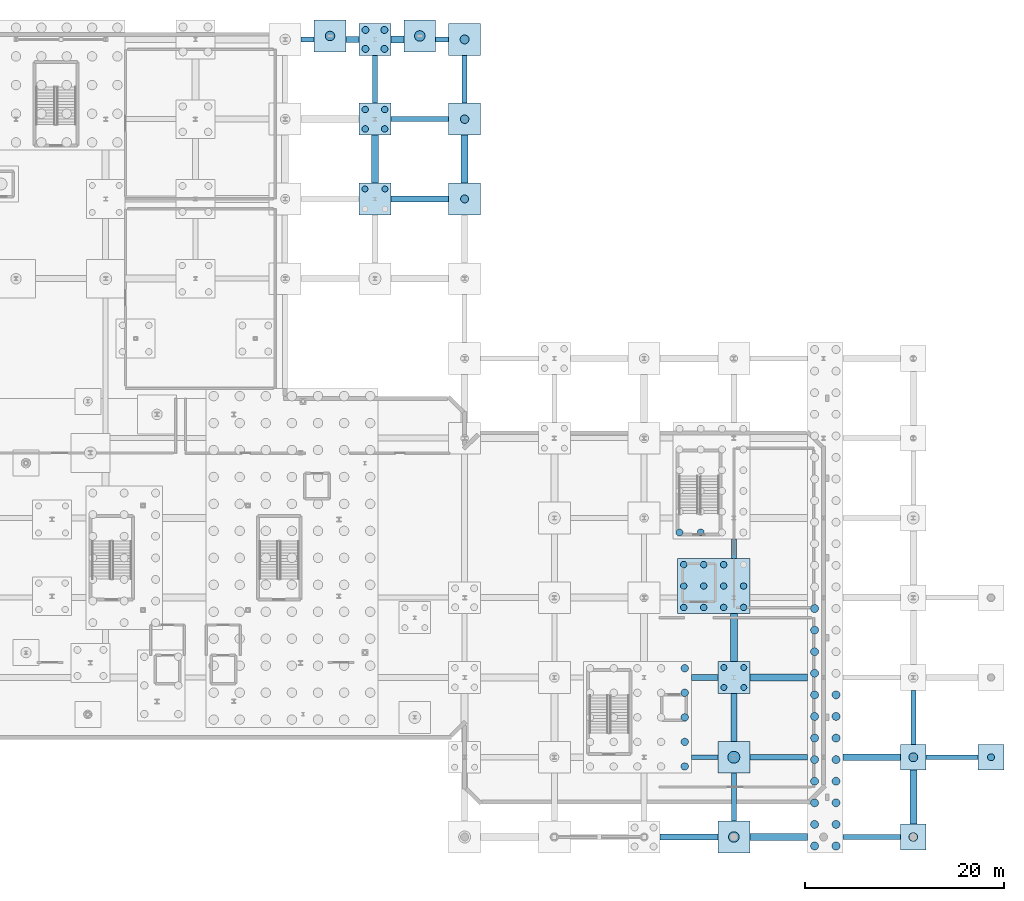
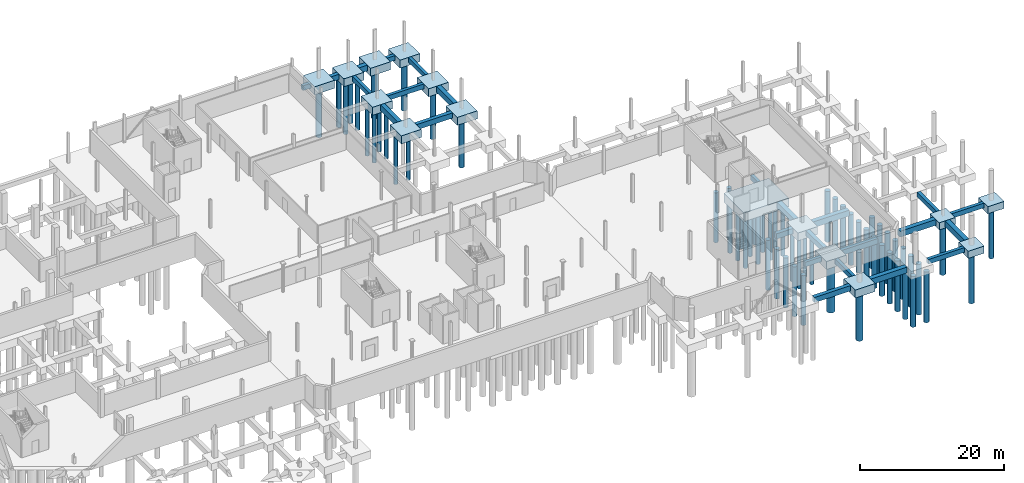
# One storey, part 8 of 37: 62 piles, 40 footings.
"""IFC4 building model written with IfcOpenShell, lengths in metres."""

from ifc_helpers import new_model, si_unit, direction, frame, origin, origin_2d, place, context, subcontext, project, spatial, polyline, rectangle, circle, outline, extrude, material, material_profile, profile_set, type_object, element, save


model = new_model("IFC4")

# Units and contexts
model_context = context("Model", 3, precision=1e-05, world=origin(), true_north=direction((0.0, 1.0)))
body_context = subcontext(model_context, "Body", "Model", "MODEL_VIEW")
ifc_project = project(units=[si_unit("LENGTHUNIT", "METRE"), si_unit("AREAUNIT", "SQUARE_METRE"), si_unit("VOLUMEUNIT", "CUBIC_METRE"), si_unit("PLANEANGLEUNIT", "RADIAN"), si_unit("MASSUNIT", "GRAM", prefix="KILO"), si_unit("THERMODYNAMICTEMPERATUREUNIT", "KELVIN"), si_unit("POWERUNIT", "WATT")], contexts=[model_context])

# Site, building, storey
site_placement = place(None, origin())
site = spatial("IfcSite", under=ifc_project, at=site_placement, CompositionType="ELEMENT")
building_placement = place(site_placement, origin())
building = spatial("IfcBuilding", under=site, at=building_placement, Name="Zelmaris Science Centre", CompositionType="ELEMENT")
storey_placement = place(building_placement, frame((0.0, 0.0, -4.800048828125)))
storey = spatial("IfcBuildingStorey", under=building, at=storey_placement, Name="B1", CompositionType="ELEMENT", Elevation=-4.800048828125)

# Footings
ifc_material = material(Name="Concrete C40/50", Category="concrete")
ifc_material_profile_1 = material_profile(ifc_material, rectangle(XDim=0.5, YDim=0.800048828125, at=origin_2d()), Name="FB-500X800")
ifc_profile_set_1 = profile_set([ifc_material_profile_1], Name="Concrete C40/50")
footing_type_1 = type_object("IfcFootingType", Name="Foundation Tie Beam FB-01 500x800", PredefinedType="FOOTING_BEAM", material=ifc_profile_set_1)
for number, where, z_axis, x_axis, name in (
    (1, (99.0, 81.60009765625, -0.75), (0.0, 1.0, 0.0), (-1.0, 0.0, 0.0), "Foundation tie beam 52"),
    (2, (108.0, 81.60009765625, -0.75), (0.0, 1.0, 0.0), (-1.0, 0.0, 0.0), "Foundation tie beam 61"),
    (3, (135.0, 9.60009765625, -0.75), (0.0, 1.0, 0.0), (-1.0, 0.0, 0.0), "Foundation tie beam 73"),
):
    element("IfcFooting", number, at=place(storey_placement, frame(where, z_axis=z_axis, x_axis=x_axis)), inside=storey, type_object=footing_type_1, Name=name, PredefinedType="FOOTING_BEAM", context=body_context, shape_type="SweptSolid", body=[
        extrude(rectangle(XDim=0.5, YDim=0.800048828125, at=origin_2d()), origin(), (0.0, 0.0, 1.0), 4.7998046875),
    ])
footing_1_placement = place(storey_placement, frame((135.0, 35.949951171875, -0.75), z_axis=(0.0, 1.0, 0.0), x_axis=(-1.0, 0.0, 0.0)))
element("IfcFooting", 4, at=footing_1_placement, inside=storey, type_object=footing_type_1, Name="Foundation tie beam 76", PredefinedType="FOOTING_BEAM", context=body_context, shape_type="SweptSolid", body=[
    extrude(rectangle(XDim=0.5, YDim=0.800048828125, at=origin_2d()), origin(), (0.0, 0.0, 1.0), 1.949951171875),
])
footing_2_placement = place(storey_placement, frame((153.0, 17.300048828125, -0.75), z_axis=(0.0, 1.0, 0.0), x_axis=(-1.0, 0.0, 0.0)))
element("IfcFooting", 5, at=footing_2_placement, inside=storey, type_object=footing_type_1, Name="Foundation tie beam 79", PredefinedType="FOOTING_BEAM", context=body_context, shape_type="SweptSolid", body=[
    extrude(rectangle(XDim=0.5, YDim=0.800048828125, at=origin_2d()), origin(), (0.0, 0.0, 1.0), 5.39990234375),
])
footing_3_placement = place(storey_placement, frame((145.949951171875, 8.0, -0.75), z_axis=(1.0, 0.0, 0.0), x_axis=(0.0, 1.0, 0.0)))
element("IfcFooting", 6, at=footing_3_placement, inside=storey, type_object=footing_type_1, Name="Foundation tie beam 97", PredefinedType="FOOTING_BEAM", context=body_context, shape_type="SweptSolid", body=[
    extrude(rectangle(XDim=0.5, YDim=0.800048828125, at=origin_2d()), origin(), (0.0, 0.0, 1.0), 5.75),
])
footing_4_placement = place(storey_placement, frame((130.75, 16.0, -0.75), z_axis=(1.0, 0.0, 0.0), x_axis=(0.0, 1.0, 0.0)))
element("IfcFooting", 7, at=footing_4_placement, inside=storey, type_object=footing_type_1, Name="Foundation tie beam 106", PredefinedType="FOOTING_BEAM", context=body_context, shape_type="SweptSolid", body=[
    extrude(rectangle(XDim=0.5, YDim=0.800048828125, at=origin_2d()), origin(), (0.0, 0.0, 1.0), 2.64990234375),
])
footing_5_placement = place(storey_placement, frame((154.300048828125, 16.0, -0.75), z_axis=(1.0, 0.0, 0.0), x_axis=(0.0, 1.0, 0.0)))
element("IfcFooting", 8, at=footing_5_placement, inside=storey, type_object=footing_type_1, Name="Foundation tie beam 109", PredefinedType="FOOTING_BEAM", context=body_context, shape_type="SweptSolid", body=[
    extrude(rectangle(XDim=0.5, YDim=0.800048828125, at=origin_2d()), origin(), (0.0, 0.0, 1.0), 5.199951171875),
])
footing_6_placement = place(storey_placement, frame((100.60009765625, 80.0, -0.75), z_axis=(1.0, 0.0, 0.0), x_axis=(0.0, 1.0, 0.0)))
element("IfcFooting", 9, at=footing_6_placement, inside=storey, type_object=footing_type_1, Name="Foundation tie beam 193", PredefinedType="FOOTING_BEAM", context=body_context, shape_type="SweptSolid", body=[
    extrude(rectangle(XDim=0.5, YDim=0.800048828125, at=origin_2d()), origin(), (0.0, 0.0, 1.0), 5.7998046875),
])
for number, where, z_axis, x_axis, name in (
    (10, (91.60009765625, 88.0, -0.75), (1.0, 0.0, 0.0), (0.0, 1.0, 0.0), "Foundation tie beam 199"),
    (11, (105.10009765625, 88.0, -0.75), (1.0, 0.0, 0.0), (0.0, 1.0, 0.0), "Foundation tie beam 202"),
):
    element("IfcFooting", number, at=place(storey_placement, frame(where, z_axis=z_axis, x_axis=x_axis)), inside=storey, type_object=footing_type_1, Name=name, PredefinedType="FOOTING_BEAM", context=body_context, shape_type="SweptSolid", body=[
        extrude(rectangle(XDim=0.5, YDim=0.800048828125, at=origin_2d()), origin(), (0.0, 0.0, 1.0), 1.2998046875),
    ])
ifc_material_profile_2 = material_profile(ifc_material, rectangle(XDim=0.60009765625, YDim=0.89990234375, at=origin_2d()), Name="FB-600X900")
ifc_profile_set_2 = profile_set([ifc_material_profile_2], Name="Concrete C40/50")
footing_type_2 = type_object("IfcFootingType", Name="Foundation Tie Beam FB-02 600x900", PredefinedType="FOOTING_BEAM", material=ifc_profile_set_2)
footing_7_placement = place(storey_placement, frame((135.0, 17.60009765625, -0.800048828125), z_axis=(0.0, 1.0, 0.0), x_axis=(-1.0, 0.0, 0.0)))
element("IfcFooting", 12, at=footing_7_placement, inside=storey, type_object=footing_type_2, Name="Foundation tie beam 74", PredefinedType="FOOTING_BEAM", context=body_context, shape_type="SweptSolid", body=[
    extrude(rectangle(XDim=0.60009765625, YDim=0.89990234375, at=origin_2d()), origin(), (0.0, 0.0, 1.0), 4.7998046875),
])
for number, where, z_axis, x_axis, name in (
    (13, (127.60009765625, 8.0, -0.800048828125), (1.0, 0.0, 0.0), (0.0, 1.0, 0.0), "Foundation tie beam 95"),
    (14, (136.60009765625, 16.0, -0.800048828125), (1.0, 0.0, 0.0), (0.0, 1.0, 0.0), "Foundation tie beam 107"),
):
    element("IfcFooting", number, at=place(storey_placement, frame(where, z_axis=z_axis, x_axis=x_axis)), inside=storey, type_object=footing_type_2, Name=name, PredefinedType="FOOTING_BEAM", context=body_context, shape_type="SweptSolid", body=[
        extrude(rectangle(XDim=0.60009765625, YDim=0.89990234375, at=origin_2d()), origin(), (0.0, 0.0, 1.0), 5.7998046875),
    ])
footing_8_placement = place(storey_placement, frame((130.75, 24.0, -0.800048828125), z_axis=(1.0, 0.0, 0.0), x_axis=(0.0, 1.0, 0.0)))
element("IfcFooting", 15, at=footing_8_placement, inside=storey, type_object=footing_type_2, Name="Foundation tie beam 122", PredefinedType="FOOTING_BEAM", context=body_context, shape_type="SweptSolid", body=[
    extrude(rectangle(XDim=0.60009765625, YDim=0.89990234375, at=origin_2d()), origin(), (0.0, 0.0, 1.0), 2.64990234375),
])
footing_9_placement = place(storey_placement, frame((100.60009765625, 72.0, -0.800048828125), z_axis=(1.0, 0.0, 0.0), x_axis=(0.0, 1.0, 0.0)))
element("IfcFooting", 16, at=footing_9_placement, inside=storey, type_object=footing_type_2, Name="Foundation tie beam 185", PredefinedType="FOOTING_BEAM", context=body_context, shape_type="SweptSolid", body=[
    extrude(rectangle(XDim=0.60009765625, YDim=0.89990234375, at=origin_2d()), origin(), (0.0, 0.0, 1.0), 5.7998046875),
])
footing_10_placement = place(storey_placement, frame((96.10009765625, 88.0, -0.800048828125), z_axis=(1.0, 0.0, 0.0), x_axis=(0.0, 1.0, 0.0)))
element("IfcFooting", 17, at=footing_10_placement, inside=storey, type_object=footing_type_2, Name="Foundation tie beam 200", PredefinedType="FOOTING_BEAM", context=body_context, shape_type="SweptSolid", body=[
    extrude(rectangle(XDim=0.60009765625, YDim=0.89990234375, at=origin_2d()), origin(), (0.0, 0.0, 1.0), 1.2998046875),
])
ifc_material_profile_3 = material_profile(ifc_material, rectangle(XDim=0.699951171875, YDim=1.0, at=origin_2d()), Name="FB-700X1000")
ifc_profile_set_3 = profile_set([ifc_material_profile_3], Name="Concrete C40/50")
footing_type_3 = type_object("IfcFootingType", Name="Foundation Tie Beam FB-03 700x1000", PredefinedType="FOOTING_BEAM", material=ifc_profile_set_3)
for number, where, z_axis, x_axis, name in (
    (18, (99.0, 73.60009765625, -0.849853515625), (0.0, 1.0, 0.0), (-1.0, 0.0, 0.0), "Foundation tie beam 51"),
    (19, (108.0, 73.60009765625, -0.849853515625), (0.0, 1.0, 0.0), (-1.0, 0.0, 0.0), "Foundation tie beam 60"),
    (20, (135.0, 25.60009765625, -0.849853515625), (0.0, 1.0, 0.0), (-1.0, 0.0, 0.0), "Foundation tie beam 75"),
):
    element("IfcFooting", number, at=place(storey_placement, frame(where, z_axis=z_axis, x_axis=x_axis)), inside=storey, type_object=footing_type_3, Name=name, PredefinedType="FOOTING_BEAM", context=body_context, shape_type="SweptSolid", body=[
        extrude(rectangle(XDim=0.699951171875, YDim=1.0, at=origin_2d()), origin(), (0.0, 0.0, 1.0), 4.7998046875),
    ])
footing_11_placement = place(storey_placement, frame((153.0, 9.300048828125, -0.849853515625), z_axis=(0.0, 1.0, 0.0), x_axis=(-1.0, 0.0, 0.0)))
element("IfcFooting", 21, at=footing_11_placement, inside=storey, type_object=footing_type_3, Name="Foundation tie beam 78", PredefinedType="FOOTING_BEAM", context=body_context, shape_type="SweptSolid", body=[
    extrude(rectangle(XDim=0.699951171875, YDim=1.0, at=origin_2d()), origin(), (0.0, 0.0, 1.0), 5.39990234375),
])
footing_12_placement = place(storey_placement, frame((136.60009765625, 8.0, -0.849853515625), z_axis=(1.0, 0.0, 0.0), x_axis=(0.0, 1.0, 0.0)))
element("IfcFooting", 22, at=footing_12_placement, inside=storey, type_object=footing_type_3, Name="Foundation tie beam 96", PredefinedType="FOOTING_BEAM", context=body_context, shape_type="SweptSolid", body=[
    extrude(rectangle(XDim=0.699951171875, YDim=1.0, at=origin_2d()), origin(), (0.0, 0.0, 1.0), 5.7998046875),
])
footing_13_placement = place(storey_placement, frame((145.949951171875, 16.0, -0.849853515625), z_axis=(1.0, 0.0, 0.0), x_axis=(0.0, 1.0, 0.0)))
element("IfcFooting", 23, at=footing_13_placement, inside=storey, type_object=footing_type_3, Name="Foundation tie beam 108", PredefinedType="FOOTING_BEAM", context=body_context, shape_type="SweptSolid", body=[
    extrude(rectangle(XDim=0.699951171875, YDim=1.0, at=origin_2d()), origin(), (0.0, 0.0, 1.0), 5.75),
])
footing_14_placement = place(storey_placement, frame((136.60009765625, 24.0, -0.849853515625), z_axis=(1.0, 0.0, 0.0), x_axis=(0.0, 1.0, 0.0)))
element("IfcFooting", 24, at=footing_14_placement, inside=storey, type_object=footing_type_3, Name="Foundation tie beam 123", PredefinedType="FOOTING_BEAM", context=body_context, shape_type="SweptSolid", body=[
    extrude(rectangle(XDim=0.699951171875, YDim=1.0, at=origin_2d()), origin(), (0.0, 0.0, 1.0), 5.7998046875),
])
footing_15_placement = place(storey_placement, frame((100.60009765625, 88.0, -0.849853515625), z_axis=(1.0, 0.0, 0.0), x_axis=(0.0, 1.0, 0.0)))
element("IfcFooting", 25, at=footing_15_placement, inside=storey, type_object=footing_type_3, Name="Foundation tie beam 201", PredefinedType="FOOTING_BEAM", context=body_context, shape_type="SweptSolid", body=[
    extrude(rectangle(XDim=0.699951171875, YDim=1.0, at=origin_2d()), origin(), (0.0, 0.0, 1.0), 1.2998046875),
])
footing_type_4 = type_object("IfcFootingType", Name="Pile Cap PCM-2626 2600x2600x1200", PredefinedType="PILE_CAP", material=ifc_material)
footing_16_placement = place(storey_placement, frame((0.0, 0.0, -1.550048828125)))
element("IfcFooting", 26, at=footing_16_placement, inside=storey, type_object=footing_type_4, Name="Pile cap 86", PredefinedType="PILE_CAP", context=body_context, shape_type="SweptSolid", body=[
    extrude(outline(polyline([(151.699951171875, 6.699951171875), (154.300048828125, 6.699951171875), (154.300048828125, 9.300048828125), (151.699951171875, 9.300048828125), (151.699951171875, 6.699951171875)])), origin(), (0.0, 0.0, 1.0), 1.2001953125),
])
footing_17_placement = place(storey_placement, frame((0.0, 0.0, -1.550048828125)))
element("IfcFooting", 27, at=footing_17_placement, inside=storey, type_object=footing_type_4, Name="Pile cap 87", PredefinedType="PILE_CAP", context=body_context, shape_type="SweptSolid", body=[
    extrude(outline(polyline([(151.699951171875, 14.699951171875), (154.300048828125, 14.699951171875), (154.300048828125, 17.300048828125), (151.699951171875, 17.300048828125), (151.699951171875, 14.699951171875)])), origin(), (0.0, 0.0, 1.0), 1.2001953125),
])
footing_18_placement = place(storey_placement, frame((0.0, 0.0, -1.550048828125)))
element("IfcFooting", 28, at=footing_18_placement, inside=storey, type_object=footing_type_4, Name="Pile cap 93", PredefinedType="PILE_CAP", context=body_context, shape_type="SweptSolid", body=[
    extrude(outline(polyline([(159.5, 14.699951171875), (162.10009765625, 14.699951171875), (162.10009765625, 17.300048828125), (159.5, 17.300048828125), (159.5, 14.699951171875)])), origin(), (0.0, 0.0, 1.0), 1.2001953125),
])
footing_type_5 = type_object("IfcFootingType", Name="Pile Cap PCM-3232 3200x3200x1350", PredefinedType="PILE_CAP", material=ifc_material)
footing_19_placement = place(storey_placement, frame((0.0, 0.0, -1.699951171875)))
element("IfcFooting", 29, at=footing_19_placement, inside=storey, type_object=footing_type_5, Name="Pile cap 79", PredefinedType="PILE_CAP", context=body_context, shape_type="SweptSolid", body=[
    extrude(outline(polyline([(133.39990234375, 6.39990234375), (136.60009765625, 6.39990234375), (136.60009765625, 9.60009765625), (133.39990234375, 9.60009765625), (133.39990234375, 6.39990234375)])), origin(), (0.0, 0.0, 1.0), 1.35009765625),
])
footing_20_placement = place(storey_placement, frame((0.0, 0.0, -1.699951171875)))
element("IfcFooting", 30, at=footing_20_placement, inside=storey, type_object=footing_type_5, Name="Pile cap 80", PredefinedType="PILE_CAP", context=body_context, shape_type="SweptSolid", body=[
    extrude(outline(polyline([(133.39990234375, 14.39990234375), (136.60009765625, 14.39990234375), (136.60009765625, 17.60009765625), (133.39990234375, 17.60009765625), (133.39990234375, 14.39990234375)])), origin(), (0.0, 0.0, 1.0), 1.35009765625),
])
footing_21_placement = place(storey_placement, frame((0.0, 0.0, -1.699951171875)))
element("IfcFooting", 31, at=footing_21_placement, inside=storey, type_object=footing_type_5, Name="Pile cap 81", PredefinedType="PILE_CAP", context=body_context, shape_type="SweptSolid", body=[
    extrude(outline(polyline([(133.39990234375, 22.39990234375), (136.60009765625, 22.39990234375), (136.60009765625, 25.60009765625), (133.39990234375, 25.60009765625), (133.39990234375, 22.39990234375)])), origin(), (0.0, 0.0, 1.0), 1.35009765625),
])
footing_22_placement = place(storey_placement, frame((0.0, 0.0, -1.699951171875)))
element("IfcFooting", 32, at=footing_22_placement, inside=storey, type_object=footing_type_5, Name="Pile cap 111", PredefinedType="PILE_CAP", context=body_context, shape_type="SweptSolid", body=[
    extrude(outline(polyline([(97.39990234375, 70.39990234375), (100.60009765625, 70.39990234375), (100.60009765625, 73.60009765625), (97.39990234375, 73.60009765625), (97.39990234375, 70.39990234375)])), origin(), (0.0, 0.0, 1.0), 1.35009765625),
])
footing_23_placement = place(storey_placement, frame((0.0, 0.0, -1.699951171875)))
element("IfcFooting", 33, at=footing_23_placement, inside=storey, type_object=footing_type_5, Name="Pile cap 112", PredefinedType="PILE_CAP", context=body_context, shape_type="SweptSolid", body=[
    extrude(outline(polyline([(97.39990234375, 78.39990234375), (100.60009765625, 78.39990234375), (100.60009765625, 81.60009765625), (97.39990234375, 81.60009765625), (97.39990234375, 78.39990234375)])), origin(), (0.0, 0.0, 1.0), 1.35009765625),
])
footing_24_placement = place(storey_placement, frame((0.0, 0.0, -1.699951171875)))
element("IfcFooting", 34, at=footing_24_placement, inside=storey, type_object=footing_type_5, Name="Pile cap 113", PredefinedType="PILE_CAP", context=body_context, shape_type="SweptSolid", body=[
    extrude(outline(polyline([(97.39990234375, 86.39990234375), (100.60009765625, 86.39990234375), (100.60009765625, 89.60009765625), (97.39990234375, 89.60009765625), (97.39990234375, 86.39990234375)])), origin(), (0.0, 0.0, 1.0), 1.35009765625),
])
footing_25_placement = place(storey_placement, frame((0.0, 0.0, -1.699951171875)))
element("IfcFooting", 35, at=footing_25_placement, inside=storey, type_object=footing_type_5, Name="Pile cap 115", PredefinedType="PILE_CAP", context=body_context, shape_type="SweptSolid", body=[
    extrude(outline(polyline([(106.39990234375, 70.39990234375), (109.60009765625, 70.39990234375), (109.60009765625, 73.60009765625), (106.39990234375, 73.60009765625), (106.39990234375, 70.39990234375)])), origin(), (0.0, 0.0, 1.0), 1.35009765625),
])
footing_26_placement = place(storey_placement, frame((0.0, 0.0, -1.699951171875)))
element("IfcFooting", 36, at=footing_26_placement, inside=storey, type_object=footing_type_5, Name="Pile cap 116", PredefinedType="PILE_CAP", context=body_context, shape_type="SweptSolid", body=[
    extrude(outline(polyline([(106.39990234375, 78.39990234375), (109.60009765625, 78.39990234375), (109.60009765625, 81.60009765625), (106.39990234375, 81.60009765625), (106.39990234375, 78.39990234375)])), origin(), (0.0, 0.0, 1.0), 1.35009765625),
])
footing_27_placement = place(storey_placement, frame((0.0, 0.0, -1.699951171875)))
element("IfcFooting", 37, at=footing_27_placement, inside=storey, type_object=footing_type_5, Name="Pile cap 117", PredefinedType="PILE_CAP", context=body_context, shape_type="SweptSolid", body=[
    extrude(outline(polyline([(106.39990234375, 86.39990234375), (109.60009765625, 86.39990234375), (109.60009765625, 89.60009765625), (106.39990234375, 89.60009765625), (106.39990234375, 86.39990234375)])), origin(), (0.0, 0.0, 1.0), 1.35009765625),
])
footing_28_placement = place(storey_placement, frame((0.0, 0.0, -1.699951171875)))
element("IfcFooting", 38, at=footing_28_placement, inside=storey, type_object=footing_type_5, Name="Pile cap 128", PredefinedType="PILE_CAP", context=body_context, shape_type="SweptSolid", body=[
    extrude(outline(polyline([(92.89990234375, 86.75), (96.10009765625, 86.75), (96.10009765625, 89.949951171875), (92.89990234375, 89.949951171875), (92.89990234375, 86.75)])), origin(), (0.0, 0.0, 1.0), 1.35009765625),
])
footing_29_placement = place(storey_placement, frame((0.0, 0.0, -1.699951171875)))
element("IfcFooting", 39, at=footing_29_placement, inside=storey, type_object=footing_type_5, Name="Pile cap 129", PredefinedType="PILE_CAP", context=body_context, shape_type="SweptSolid", body=[
    extrude(outline(polyline([(101.89990234375, 86.75), (105.10009765625, 86.75), (105.10009765625, 89.949951171875), (101.89990234375, 89.949951171875), (101.89990234375, 86.75)])), origin(), (0.0, 0.0, 1.0), 1.35009765625),
])
footing_type_6 = type_object("IfcFootingType", Name="Pile Cap PCM-7256 7200x5600x1500", PredefinedType="PILE_CAP", material=ifc_material)
footing_30_placement = place(storey_placement, frame((0.0, 0.0, -1.849853515625)))
element("IfcFooting", 40, at=footing_30_placement, inside=storey, type_object=footing_type_6, Name="Pile cap 82", PredefinedType="PILE_CAP", context=body_context, shape_type="SweptSolid", body=[
    extrude(outline(polyline([(129.35009765625, 30.39990234375), (136.60009765625, 30.39990234375), (136.60009765625, 35.949951171875), (129.35009765625, 35.949951171875), (129.35009765625, 30.39990234375)])), origin(), (0.0, 0.0, 1.0), 1.5),
])

# Piles
ifc_material_profile_4 = material_profile(ifc_material, circle(Radius=0.52490234375, at=origin_2d()), Name="PILE-1050")
ifc_profile_set_4 = profile_set([ifc_material_profile_4], Name="Concrete C40/50")
pile_type_1 = type_object("IfcPileType", Name="Pile PL-1050 D1050", PredefinedType="BORED", material=ifc_profile_set_4)
for number, where, z_axis, x_axis, name in (
    (41, (135.0, 8.0, -1.579833984375), (0.0, 0.0, -1.0), (1.0, 0.0, 0.0), "Bored pile 79-1"),
    (42, (103.5, 88.35009765625, -1.579833984375), (0.0, 0.0, -1.0), (1.0, 0.0, 0.0), "Bored pile 129-1"),
):
    element("IfcPile", number, at=place(storey_placement, frame(where, z_axis=z_axis, x_axis=x_axis)), inside=storey, type_object=pile_type_1, Name=name, PredefinedType="BORED", context=body_context, shape_type="SweptSolid", body=[
        extrude(circle(Radius=0.52490234375, at=origin_2d()), origin(), (0.0, 0.0, 1.0), 8.6201171875),
    ])
ifc_material_profile_5 = material_profile(ifc_material, circle(Radius=0.60009765625, at=origin_2d()), Name="PILE-1200")
ifc_profile_set_5 = profile_set([ifc_material_profile_5], Name="Concrete C40/50")
pile_type_2 = type_object("IfcPileType", Name="Pile PL-1200 D1200", PredefinedType="BORED", material=ifc_profile_set_5)
pile_1_placement = place(storey_placement, frame((135.0, 16.0, -1.579833984375), z_axis=(0.0, 0.0, -1.0), x_axis=(1.0, 0.0, 0.0)))
element("IfcPile", 43, at=pile_1_placement, inside=storey, type_object=pile_type_2, Name="Bored pile 80-1", PredefinedType="BORED", context=body_context, shape_type="SweptSolid", body=[
    extrude(circle(Radius=0.60009765625, at=origin_2d()), origin(), (0.0, 0.0, 1.0), 8.6201171875),
])
ifc_material_profile_6 = material_profile(ifc_material, circle(Radius=0.300048828125, at=origin_2d()), Name="PILE-600")
ifc_profile_set_6 = profile_set([ifc_material_profile_6], Name="Concrete C40/50")
pile_type_3 = type_object("IfcPileType", Name="Pile PL-600 D600", PredefinedType="BORED", material=ifc_profile_set_6)
for number, where, z_axis, x_axis, name in (
    (44, (134.0, 23.0, -1.579833984375), (0.0, 0.0, -1.0), (1.0, 0.0, 0.0), "Bored pile 81-1"),
    (45, (134.0, 25.0, -1.579833984375), (0.0, 0.0, -1.0), (1.0, 0.0, 0.0), "Bored pile 81-2"),
    (46, (136.0, 23.0, -1.579833984375), (0.0, 0.0, -1.0), (1.0, 0.0, 0.0), "Bored pile 81-3"),
    (47, (136.0, 25.0, -1.579833984375), (0.0, 0.0, -1.0), (1.0, 0.0, 0.0), "Bored pile 81-4"),
    (48, (98.0, 73.0, -1.579833984375), (0.0, 0.0, -1.0), (1.0, 0.0, 0.0), "Bored pile 111-2"),
    (49, (100.0, 73.0, -1.579833984375), (0.0, 0.0, -1.0), (1.0, 0.0, 0.0), "Bored pile 111-4"),
):
    element("IfcPile", number, at=place(storey_placement, frame(where, z_axis=z_axis, x_axis=x_axis)), inside=storey, type_object=pile_type_3, Name=name, PredefinedType="BORED", context=body_context, shape_type="SweptSolid", body=[
        extrude(circle(Radius=0.300048828125, at=origin_2d()), origin(), (0.0, 0.0, 1.0), 8.6201171875),
    ])
ifc_material_profile_7 = material_profile(ifc_material, circle(Radius=0.324951171875, at=origin_2d()), Name="PILE-650")
ifc_profile_set_7 = profile_set([ifc_material_profile_7], Name="Concrete C40/50")
pile_type_4 = type_object("IfcPileType", Name="Pile PL-650 D650", PredefinedType="BORED", material=ifc_profile_set_7)
for number, where, z_axis, x_axis, name in (
    (50, (129.97509765625, 31.02490234375, -1.72998046875), (0.0, 0.0, -1.0), (1.0, 0.0, 0.0), "Bored pile 82-1"),
    (51, (129.97509765625, 33.175048828125, -1.72998046875), (0.0, 0.0, -1.0), (1.0, 0.0, 0.0), "Bored pile 82-2"),
    (52, (129.97509765625, 35.324951171875, -1.72998046875), (0.0, 0.0, -1.0), (1.0, 0.0, 0.0), "Bored pile 82-3"),
    (53, (131.97509765625, 31.02490234375, -1.72998046875), (0.0, 0.0, -1.0), (1.0, 0.0, 0.0), "Bored pile 82-4"),
    (54, (131.97509765625, 33.175048828125, -1.72998046875), (0.0, 0.0, -1.0), (1.0, 0.0, 0.0), "Bored pile 82-5"),
    (55, (131.97509765625, 35.324951171875, -1.72998046875), (0.0, 0.0, -1.0), (1.0, 0.0, 0.0), "Bored pile 82-6"),
    (56, (133.97509765625, 31.02490234375, -1.72998046875), (0.0, 0.0, -1.0), (1.0, 0.0, 0.0), "Bored pile 82-7"),
    (57, (133.97509765625, 33.175048828125, -1.72998046875), (0.0, 0.0, -1.0), (1.0, 0.0, 0.0), "Bored pile 82-8"),
    (58, (133.97509765625, 35.324951171875, -1.72998046875), (0.0, 0.0, -1.0), (1.0, 0.0, 0.0), "Bored pile 82-9"),
    (59, (135.97509765625, 31.02490234375, -1.72998046875), (0.0, 0.0, -1.0), (1.0, 0.0, 0.0), "Bored pile 82-10"),
    (60, (135.97509765625, 33.175048828125, -1.72998046875), (0.0, 0.0, -1.0), (1.0, 0.0, 0.0), "Bored pile 82-11"),
):
    element("IfcPile", number, at=place(storey_placement, frame(where, z_axis=z_axis, x_axis=x_axis)), inside=storey, type_object=pile_type_4, Name=name, PredefinedType="BORED", context=body_context, shape_type="SweptSolid", body=[
        extrude(circle(Radius=0.324951171875, at=origin_2d()), origin(), (0.0, 0.0, 1.0), 8.469970703125),
    ])
for number, where, z_axis, x_axis, name in (
    (61, (98.02490234375, 79.02490234375, -1.579833984375), (0.0, 0.0, -1.0), (1.0, 0.0, 0.0), "Bored pile 112-1"),
    (62, (98.02490234375, 80.97509765625, -1.579833984375), (0.0, 0.0, -1.0), (1.0, 0.0, 0.0), "Bored pile 112-2"),
    (63, (99.97509765625, 79.02490234375, -1.579833984375), (0.0, 0.0, -1.0), (1.0, 0.0, 0.0), "Bored pile 112-3"),
    (64, (99.97509765625, 80.97509765625, -1.579833984375), (0.0, 0.0, -1.0), (1.0, 0.0, 0.0), "Bored pile 112-4"),
):
    element("IfcPile", number, at=place(storey_placement, frame(where, z_axis=z_axis, x_axis=x_axis)), inside=storey, type_object=pile_type_4, Name=name, PredefinedType="BORED", context=body_context, shape_type="SweptSolid", body=[
        extrude(circle(Radius=0.324951171875, at=origin_2d()), origin(), (0.0, 0.0, 1.0), 8.6201171875),
    ])
ifc_material_profile_8 = material_profile(ifc_material, circle(Radius=0.35009765625, at=origin_2d()), Name="PILE-700")
ifc_profile_set_8 = profile_set([ifc_material_profile_8], Name="Concrete C40/50")
pile_type_5 = type_object("IfcPileType", Name="Pile PL-700 D700", PredefinedType="BORED", material=ifc_profile_set_8)
for number, where, z_axis, x_axis, name in (
    (65, (129.550048828125, 38.550048828125, -1.72998046875), (0.0, 0.0, -1.0), (1.0, 0.0, 0.0), "Bored pile 83-1"),
    (66, (131.683349609375, 38.550048828125, -1.72998046875), (0.0, 0.0, -1.0), (1.0, 0.0, 0.0), "Bored pile 83-7"),
):
    element("IfcPile", number, at=place(storey_placement, frame(where, z_axis=z_axis, x_axis=x_axis)), inside=storey, type_object=pile_type_5, Name=name, PredefinedType="BORED", context=body_context, shape_type="SweptSolid", body=[
        extrude(circle(Radius=0.35009765625, at=origin_2d()), origin(), (0.0, 0.0, 1.0), 8.469970703125),
    ])
pile_2_placement = place(storey_placement, frame((160.800048828125, 16.0, -1.429931640625), z_axis=(0.0, 0.0, -1.0), x_axis=(1.0, 0.0, 0.0)))
element("IfcPile", 67, at=pile_2_placement, inside=storey, type_object=pile_type_5, Name="Bored pile 93-1", PredefinedType="BORED", context=body_context, shape_type="SweptSolid", body=[
    extrude(circle(Radius=0.35009765625, at=origin_2d()), origin(), (0.0, 0.0, 1.0), 8.77001953125),
])
for number, where, z_axis, x_axis, name in (
    (68, (98.050048828125, 87.050048828125, -1.579833984375), (0.0, 0.0, -1.0), (1.0, 0.0, 0.0), "Bored pile 113-1"),
    (69, (98.050048828125, 88.949951171875, -1.579833984375), (0.0, 0.0, -1.0), (1.0, 0.0, 0.0), "Bored pile 113-2"),
    (70, (99.949951171875, 87.050048828125, -1.579833984375), (0.0, 0.0, -1.0), (1.0, 0.0, 0.0), "Bored pile 113-3"),
    (71, (99.949951171875, 88.949951171875, -1.579833984375), (0.0, 0.0, -1.0), (1.0, 0.0, 0.0), "Bored pile 113-4"),
):
    element("IfcPile", number, at=place(storey_placement, frame(where, z_axis=z_axis, x_axis=x_axis)), inside=storey, type_object=pile_type_5, Name=name, PredefinedType="BORED", context=body_context, shape_type="SweptSolid", body=[
        extrude(circle(Radius=0.35009765625, at=origin_2d()), origin(), (0.0, 0.0, 1.0), 8.6201171875),
    ])
ifc_material_profile_9 = material_profile(ifc_material, circle(Radius=0.375, at=origin_2d()), Name="PILE-750")
ifc_profile_set_9 = profile_set([ifc_material_profile_9], Name="Concrete C40/50")
pile_type_6 = type_object("IfcPileType", Name="Pile PL-750 D750", PredefinedType="BORED", material=ifc_profile_set_9)
for number, where, z_axis, x_axis, name in (
    (72, (130.074951171875, 15.074951171875, -1.72998046875), (0.0, 0.0, -1.0), (1.0, 0.0, 0.0), "Bored pile 74-21"),
    (73, (130.074951171875, 17.53759765625, -1.72998046875), (0.0, 0.0, -1.0), (1.0, 0.0, 0.0), "Bored pile 74-22"),
    (74, (130.074951171875, 20.0, -1.72998046875), (0.0, 0.0, -1.0), (1.0, 0.0, 0.0), "Bored pile 74-23"),
    (75, (130.074951171875, 22.46240234375, -1.72998046875), (0.0, 0.0, -1.0), (1.0, 0.0, 0.0), "Bored pile 74-24"),
    (76, (130.074951171875, 24.925048828125, -1.72998046875), (0.0, 0.0, -1.0), (1.0, 0.0, 0.0), "Bored pile 74-25"),
):
    element("IfcPile", number, at=place(storey_placement, frame(where, z_axis=z_axis, x_axis=x_axis)), inside=storey, type_object=pile_type_6, Name=name, PredefinedType="BORED", context=body_context, shape_type="SweptSolid", body=[
        extrude(circle(Radius=0.375, at=origin_2d()), origin(), (0.0, 0.0, 1.0), 8.469970703125),
    ])
ifc_material_profile_10 = material_profile(ifc_material, circle(Radius=0.39990234375, at=origin_2d()), Name="PILE-800")
ifc_profile_set_10 = profile_set([ifc_material_profile_10], Name="Concrete C40/50")
pile_type_7 = type_object("IfcPileType", Name="Pile PL-800 D800", PredefinedType="BORED", material=ifc_profile_set_10)
for number, where, z_axis, x_axis, name in (
    (77, (143.10009765625, 7.10009765625, -1.579833984375), (0.0, 0.0, -1.0), (1.0, 0.0, 0.0), "Bored pile 85-1"),
    (78, (143.10009765625, 9.26513671875, -1.579833984375), (0.0, 0.0, -1.0), (1.0, 0.0, 0.0), "Bored pile 85-2"),
    (79, (143.10009765625, 11.430419921875, -1.579833984375), (0.0, 0.0, -1.0), (1.0, 0.0, 0.0), "Bored pile 85-3"),
    (80, (143.10009765625, 13.595703125, -1.579833984375), (0.0, 0.0, -1.0), (1.0, 0.0, 0.0), "Bored pile 85-4"),
    (81, (143.10009765625, 15.760986328125, -1.579833984375), (0.0, 0.0, -1.0), (1.0, 0.0, 0.0), "Bored pile 85-5"),
    (82, (143.10009765625, 17.926025390625, -1.579833984375), (0.0, 0.0, -1.0), (1.0, 0.0, 0.0), "Bored pile 85-6"),
    (83, (143.10009765625, 20.09130859375, -1.579833984375), (0.0, 0.0, -1.0), (1.0, 0.0, 0.0), "Bored pile 85-7"),
    (84, (143.10009765625, 22.256591796875, -1.579833984375), (0.0, 0.0, -1.0), (1.0, 0.0, 0.0), "Bored pile 85-8"),
    (85, (143.10009765625, 24.421630859375, -1.579833984375), (0.0, 0.0, -1.0), (1.0, 0.0, 0.0), "Bored pile 85-9"),
    (86, (143.10009765625, 26.5869140625, -1.579833984375), (0.0, 0.0, -1.0), (1.0, 0.0, 0.0), "Bored pile 85-10"),
    (87, (143.10009765625, 28.752197265625, -1.579833984375), (0.0, 0.0, -1.0), (1.0, 0.0, 0.0), "Bored pile 85-11"),
    (88, (143.10009765625, 30.91748046875, -1.579833984375), (0.0, 0.0, -1.0), (1.0, 0.0, 0.0), "Bored pile 85-12"),
    (89, (145.25, 7.10009765625, -1.579833984375), (0.0, 0.0, -1.0), (1.0, 0.0, 0.0), "Bored pile 85-25"),
    (90, (145.25, 9.26513671875, -1.579833984375), (0.0, 0.0, -1.0), (1.0, 0.0, 0.0), "Bored pile 85-26"),
    (91, (145.25, 11.430419921875, -1.579833984375), (0.0, 0.0, -1.0), (1.0, 0.0, 0.0), "Bored pile 85-27"),
    (92, (145.25, 13.595703125, -1.579833984375), (0.0, 0.0, -1.0), (1.0, 0.0, 0.0), "Bored pile 85-28"),
    (93, (145.25, 15.760986328125, -1.579833984375), (0.0, 0.0, -1.0), (1.0, 0.0, 0.0), "Bored pile 85-29"),
    (94, (145.25, 17.926025390625, -1.579833984375), (0.0, 0.0, -1.0), (1.0, 0.0, 0.0), "Bored pile 85-30"),
    (95, (145.25, 20.09130859375, -1.579833984375), (0.0, 0.0, -1.0), (1.0, 0.0, 0.0), "Bored pile 85-31"),
    (96, (145.25, 22.256591796875, -1.579833984375), (0.0, 0.0, -1.0), (1.0, 0.0, 0.0), "Bored pile 85-32"),
    (97, (108.0, 72.0, -1.579833984375), (0.0, 0.0, -1.0), (1.0, 0.0, 0.0), "Bored pile 115-1"),
):
    element("IfcPile", number, at=place(storey_placement, frame(where, z_axis=z_axis, x_axis=x_axis)), inside=storey, type_object=pile_type_7, Name=name, PredefinedType="BORED", context=body_context, shape_type="SweptSolid", body=[
        extrude(circle(Radius=0.39990234375, at=origin_2d()), origin(), (0.0, 0.0, 1.0), 8.6201171875),
    ])
ifc_material_profile_11 = material_profile(ifc_material, circle(Radius=0.425048828125, at=origin_2d()), Name="PILE-850")
ifc_profile_set_11 = profile_set([ifc_material_profile_11], Name="Concrete C40/50")
pile_type_8 = type_object("IfcPileType", Name="Pile PL-850 D850", PredefinedType="BORED", material=ifc_profile_set_11)
pile_3_placement = place(storey_placement, frame((153.0, 8.0, -1.429931640625), z_axis=(0.0, 0.0, -1.0), x_axis=(1.0, 0.0, 0.0)))
element("IfcPile", 98, at=pile_3_placement, inside=storey, type_object=pile_type_8, Name="Bored pile 86-1", PredefinedType="BORED", context=body_context, shape_type="SweptSolid", body=[
    extrude(circle(Radius=0.425048828125, at=origin_2d()), origin(), (0.0, 0.0, 1.0), 8.77001953125),
])
pile_4_placement = place(storey_placement, frame((108.0, 80.0, -1.579833984375), z_axis=(0.0, 0.0, -1.0), x_axis=(1.0, 0.0, 0.0)))
element("IfcPile", 99, at=pile_4_placement, inside=storey, type_object=pile_type_8, Name="Bored pile 116-1", PredefinedType="BORED", context=body_context, shape_type="SweptSolid", body=[
    extrude(circle(Radius=0.425048828125, at=origin_2d()), origin(), (0.0, 0.0, 1.0), 8.6201171875),
])
ifc_material_profile_12 = material_profile(ifc_material, circle(Radius=0.449951171875, at=origin_2d()), Name="PILE-900")
ifc_profile_set_12 = profile_set([ifc_material_profile_12], Name="Concrete C40/50")
pile_type_9 = type_object("IfcPileType", Name="Pile PL-900 D900", PredefinedType="BORED", material=ifc_profile_set_12)
pile_5_placement = place(storey_placement, frame((153.0, 16.0, -1.429931640625), z_axis=(0.0, 0.0, -1.0), x_axis=(1.0, 0.0, 0.0)))
element("IfcPile", 100, at=pile_5_placement, inside=storey, type_object=pile_type_9, Name="Bored pile 87-1", PredefinedType="BORED", context=body_context, shape_type="SweptSolid", body=[
    extrude(circle(Radius=0.449951171875, at=origin_2d()), origin(), (0.0, 0.0, 1.0), 8.77001953125),
])
pile_6_placement = place(storey_placement, frame((108.0, 88.0, -1.579833984375), z_axis=(0.0, 0.0, -1.0), x_axis=(1.0, 0.0, 0.0)))
element("IfcPile", 101, at=pile_6_placement, inside=storey, type_object=pile_type_9, Name="Bored pile 117-1", PredefinedType="BORED", context=body_context, shape_type="SweptSolid", body=[
    extrude(circle(Radius=0.449951171875, at=origin_2d()), origin(), (0.0, 0.0, 1.0), 8.6201171875),
])
ifc_material_profile_13 = material_profile(ifc_material, circle(Radius=0.47509765625, at=origin_2d()), Name="PILE-950")
ifc_profile_set_13 = profile_set([ifc_material_profile_13], Name="Concrete C40/50")
pile_type_10 = type_object("IfcPileType", Name="Pile PL-950 D950", PredefinedType="BORED", material=ifc_profile_set_13)
pile_7_placement = place(storey_placement, frame((94.5, 88.35009765625, -1.579833984375), z_axis=(0.0, 0.0, -1.0), x_axis=(1.0, 0.0, 0.0)))
element("IfcPile", 102, at=pile_7_placement, inside=storey, type_object=pile_type_10, Name="Bored pile 128-1", PredefinedType="BORED", context=body_context, shape_type="SweptSolid", body=[
    extrude(circle(Radius=0.47509765625, at=origin_2d()), origin(), (0.0, 0.0, 1.0), 8.6201171875),
])

save(model, "model.ifc")
